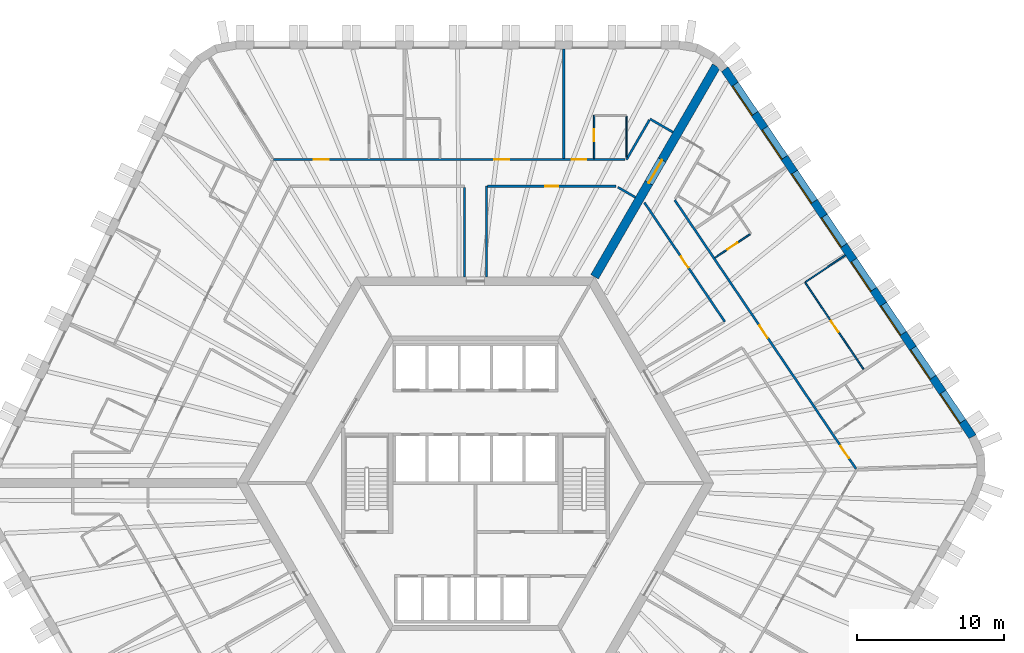
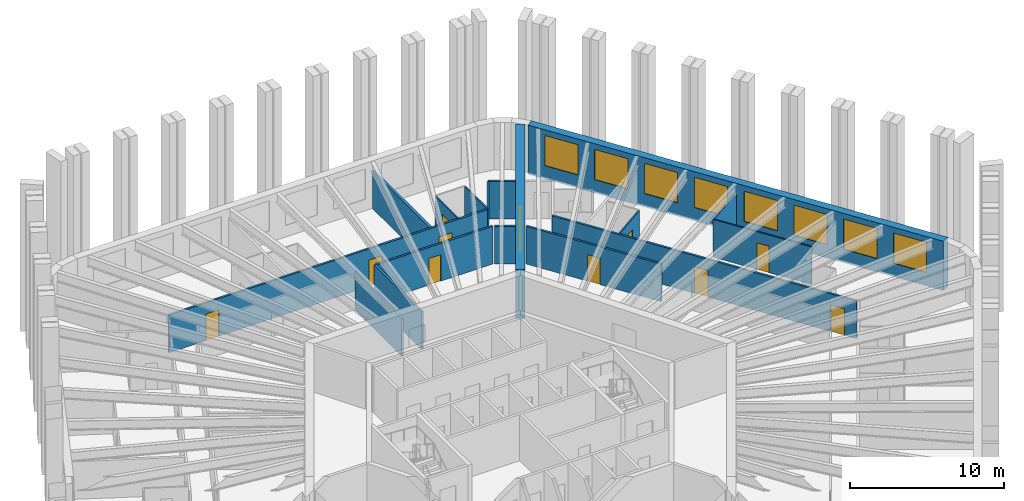
# One storey, part 9 of 12: 17 walls, 11 doors, 8 windows, 19 openings.
"""IFC4 building model written with IfcOpenShell, lengths in metres."""

from ifc_helpers import new_model, si_unit, direction, frame, frame_2d, origin, place, context, subcontext, project, spatial, polyline, rectangle, outline, extrude, material, layer, layer_set, type_object, element, fill, save


model = new_model("IFC4")

# Units and contexts
model_context = context("Model", 3, precision=1e-05, world=origin(), true_north=direction((0.0, 1.0)))
body_context = subcontext(model_context, "Body", "Model", "MODEL_VIEW")
ifc_project = project(units=[si_unit("LENGTHUNIT", "METRE"), si_unit("AREAUNIT", "SQUARE_METRE"), si_unit("VOLUMEUNIT", "CUBIC_METRE"), si_unit("PLANEANGLEUNIT", "RADIAN"), si_unit("MASSUNIT", "GRAM", prefix="KILO")], contexts=[model_context])

# Site, building, storey
site_placement = place(None, origin())
site = spatial("IfcSite", under=ifc_project, at=site_placement, CompositionType="ELEMENT")
building_placement = place(site_placement, origin())
building = spatial("IfcBuilding", under=site, at=building_placement, Name="Tarnside Tower", CompositionType="ELEMENT")
storey_placement = place(building_placement, frame((0.0, 0.0, 37.5)))
storey = spatial("IfcBuildingStorey", under=building, at=storey_placement, Name="L06", CompositionType="ELEMENT", Elevation=37.5)

# Wall, opening, door
ifc_material_1 = material(Name="Gypsum board partition on steel studs", Category="steel")
ifc_layer_1 = layer(ifc_material_1, 0.10009765625)
ifc_layer_set_1 = layer_set([ifc_layer_1], Name="Bathroom wall 100")
wall_type_1 = type_object("IfcWallType", Name="Bathroom wall 100", PredefinedType="PARTITIONING", material=ifc_layer_set_1)
wall_1_placement = place(storey_placement, frame((8.0478515625, 22.02490234375, 0.0), z_axis=(0.0, 0.0, 1.0), x_axis=(0.0, 1.0, 0.0)))
wall_1 = element("IfcWall", 1, at=wall_1_placement, inside=storey, type_object=wall_type_1, Name="Bathroom wall 01077", PredefinedType="PARTITIONING", context=body_context, shape_type="SweptSolid", body=[
    extrude(rectangle(XDim=2.925048828125, YDim=0.10009765625, at=frame_2d((1.46240234375, 0.0))), origin(), (0.0, 0.0, 1.0), 2.98779296875),
])
opening_1_placement = place(wall_1_placement, frame((1.175048828125, 0.0, 0.0)))
opening_1 = element("IfcOpeningElement", 2, at=opening_1_placement, cuts=wall_1, Name="Opening D-B1", PredefinedType="OPENING", context=body_context, shape_type="SweptSolid", body=[
    extrude(rectangle(XDim=0.800048828125, YDim=2.10009765625, at=frame_2d((0.39990234375, 1.050048828125))), frame((0.0, 0.06005859375, 0.0), z_axis=(0.0, -1.0, 0.0), x_axis=(1.0, 0.0, 0.0)), (0.0, 0.0, 1.0), 0.1201171875),
])
ifc_material_2 = material(Name="Timber door leaf", Category="wood")
door_type_1 = type_object("IfcDoorType", Name="Bathroom door 800", OperationType="NOTDEFINED", PredefinedType="DOOR", material=ifc_material_2)
door_1_placement = place(opening_1_placement, origin())
door_1 = element("IfcDoor", 3, at=door_1_placement, inside=storey, type_object=door_type_1, Name="Bathroom door 01002", OperationType="SINGLE_SWING_LEFT", OverallHeight=2.10009765625, OverallWidth=0.800048828125, PredefinedType="DOOR", context=body_context, shape_type="SweptSolid", body=[
    extrude(rectangle(XDim=0.800048828125, YDim=2.10009765625, at=frame_2d((0.39990234375, 1.050048828125))), frame((0.0, 0.02490234375, 0.0), z_axis=(0.0, -1.0, 0.0), x_axis=(1.0, 0.0, 0.0)), (0.0, 0.0, 1.0), 0.050048828125),
])
fill(opening_1, door_1)

# Wall
wall_2_placement = place(storey_placement, frame((10.248046875, 24.89990234375, 0.0), z_axis=(0.0, 0.0, 1.0), x_axis=(0.0, -1.0, 0.0)))
element("IfcWall", 4, at=wall_2_placement, inside=storey, type_object=wall_type_1, Name="Bathroom wall 01079", PredefinedType="PARTITIONING", context=body_context, shape_type="SweptSolid", body=[
    extrude(rectangle(XDim=2.7998046875, YDim=0.10009765625, at=frame_2d((1.39990234375, 0.0))), origin(), (0.0, 0.0, 1.0), 2.98779296875),
])

# Wall, opening, door
wall_3_placement = place(storey_placement, frame((18.63623046875, 16.899169921875, 0.0), z_axis=(0.0, 0.0, 1.0), x_axis=(-0.82904649496, -0.559179675234, 0.0)))
wall_3 = element("IfcWall", 5, at=wall_3_placement, inside=storey, type_object=wall_type_1, Name="Bathroom wall 01148", PredefinedType="PARTITIONING", context=body_context, shape_type="SweptSolid", body=[
    extrude(rectangle(XDim=2.875, YDim=0.10009765625, at=frame_2d((1.4375, 0.0))), origin(), (0.0, 0.0, 1.0), 2.98779296875),
])
opening_2_placement = place(wall_3_placement, frame((1.050048828125, 0.0, 0.0)))
opening_2 = element("IfcOpeningElement", 6, at=opening_2_placement, cuts=wall_3, Name="Opening D-B1", PredefinedType="OPENING", context=body_context, shape_type="SweptSolid", body=[
    extrude(rectangle(XDim=0.800048828125, YDim=2.10009765625, at=frame_2d((0.39990234375, 1.050048828125))), frame((0.0, 0.06005859375, 0.0), z_axis=(0.0, -1.0, 0.0), x_axis=(1.0, 0.0, 0.0)), (0.0, 0.0, 1.0), 0.1201171875),
])
door_2_placement = place(opening_2_placement, origin())
door_2 = element("IfcDoor", 7, at=door_2_placement, inside=storey, type_object=door_type_1, Name="Bathroom door 01038", OperationType="SINGLE_SWING_LEFT", OverallHeight=2.10009765625, OverallWidth=0.800048828125, PredefinedType="DOOR", context=body_context, shape_type="SweptSolid", body=[
    extrude(rectangle(XDim=0.800048828125, YDim=2.10009765625, at=frame_2d((0.39990234375, 1.050048828125))), frame((0.0, 0.02490234375, 0.0), z_axis=(0.0, -1.0, 0.0), x_axis=(1.0, 0.0, 0.0)), (0.0, 0.0, 1.0), 0.050048828125),
])
fill(opening_2, door_2)

ifc_material_3 = material(Name="Concrete C80/95", Category="concrete")
ifc_layer_2 = layer(ifc_material_3, 0.60009765625)
ifc_layer_set_2 = layer_set([ifc_layer_2], Name="Core wall Z1 600 C80/95")
wall_type_2 = type_object("IfcWallType", Name="Core wall Z1 600 C80/95", PredefinedType="SHEAR", material=ifc_layer_set_2)
wall_4_placement = place(storey_placement, frame((8.0830078125, 14.0, -0.14990234375), z_axis=(0.0, 0.0, 1.0), x_axis=(0.499997680643, 0.866026742862, 0.0)))
wall_4 = element("IfcWall", 8, at=wall_4_placement, inside=storey, type_object=wall_type_2, Name="L06 spine wall 1", PredefinedType="SHEAR", context=body_context, shape_type="SweptSolid", body=[
    extrude(rectangle(XDim=16.5087890625, YDim=0.60009765625, at=frame_2d((8.25439453125, 0.0))), origin(), (0.0, 0.0, 1.0), 3.89990234375),
])
opening_3_placement = place(wall_4_placement, frame((7.3544921875, 0.0, 0.14990234375)))
opening_3 = element("IfcOpeningElement", 9, at=opening_3_placement, cuts=wall_4, Name="Opening CD-SPN", PredefinedType="OPENING", context=body_context, shape_type="SweptSolid", body=[
    extrude(rectangle(XDim=1.800048828125, YDim=2.39990234375, at=frame_2d((0.89990234375, 1.199951171875))), frame((0.0, 0.31005859375, 0.0), z_axis=(0.0, -1.0, 0.0), x_axis=(1.0, 0.0, 0.0)), (0.0, 0.0, 1.0), 0.6201171875),
])
ifc_material_4 = material(Name="Steel fire door", Category="steel")
door_type_2 = type_object("IfcDoorType", Name="Spine passage double door FD60 1800x2400", OperationType="NOTDEFINED", PredefinedType="DOOR", material=ifc_material_4)
door_3_placement = place(opening_3_placement, origin())
door_3 = element("IfcDoor", 10, at=door_3_placement, inside=storey, type_object=door_type_2, Name="L06 spine passage door 1", OperationType="DOUBLE_DOOR_SINGLE_SWING", OverallHeight=2.39990234375, OverallWidth=1.800048828125, PredefinedType="DOOR", context=body_context, shape_type="SweptSolid", body=[
    extrude(rectangle(XDim=1.800048828125, YDim=2.39990234375, at=frame_2d((0.89990234375, 1.199951171875))), frame((0.0, 0.02490234375, 0.0), z_axis=(0.0, -1.0, 0.0), x_axis=(1.0, 0.0, 0.0)), (0.0, 0.0, 1.0), 0.050048828125),
])
fill(opening_3, door_3)

# Wall, openings, doors
ifc_layer_3 = layer(ifc_material_1, 0.14990234375)
ifc_layer_set_3 = layer_set([ifc_layer_3], Name="Corridor wall 150 EI 60")
wall_type_3 = type_object("IfcWallType", Name="Corridor wall 150 EI 60", PredefinedType="PARTITIONING", material=ifc_layer_set_3)
wall_5_placement = place(storey_placement, frame((10.161376953125, 21.949951171875, 0.0), z_axis=(0.0, 0.0, 1.0), x_axis=(-1.0, 0.0, 0.0)))
wall_5 = element("IfcWall", 11, at=wall_5_placement, inside=storey, type_object=wall_type_3, Name="Corridor wall 01001", PredefinedType="PARTITIONING", context=body_context, shape_type="SweptSolid", body=[
    extrude(rectangle(XDim=23.877197265625, YDim=0.14990234375, at=frame_2d((11.9384765625, 0.0))), origin(), (0.0, 0.0, 1.0), 2.98779296875),
])
opening_4_placement = place(wall_5_placement, frame((2.642822265625, 0.0, 0.0)))
opening_4 = element("IfcOpeningElement", 12, at=opening_4_placement, cuts=wall_5, Name="Opening D-E1", PredefinedType="OPENING", context=body_context, shape_type="SweptSolid", body=[
    extrude(rectangle(XDim=1.0, YDim=2.10009765625, at=frame_2d((0.5, 1.050048828125))), frame((0.0, 0.0849609375, 0.0), z_axis=(0.0, -1.0, 0.0), x_axis=(1.0, 0.0, 0.0)), (0.0, 0.0, 1.0), 0.169921875),
])
opening_5_placement = place(wall_5_placement, frame((7.872314453125, 0.0, 0.0)))
opening_5 = element("IfcOpeningElement", 13, at=opening_5_placement, cuts=wall_5, Name="Opening D-E1", PredefinedType="OPENING", context=body_context, shape_type="SweptSolid", body=[
    extrude(rectangle(XDim=1.0, YDim=2.10009765625, at=frame_2d((0.5, 1.050048828125))), frame((0.0, 0.0849609375, 0.0), z_axis=(0.0, -1.0, 0.0), x_axis=(1.0, 0.0, 0.0)), (0.0, 0.0, 1.0), 0.169921875),
])
opening_6_placement = place(wall_5_placement, frame((20.124755859375, 0.0, 0.0)))
opening_6 = element("IfcOpeningElement", 14, at=opening_6_placement, cuts=wall_5, Name="Opening D-E1", PredefinedType="OPENING", context=body_context, shape_type="SweptSolid", body=[
    extrude(rectangle(XDim=1.0, YDim=2.10009765625, at=frame_2d((0.5, 1.050048828125))), frame((0.0, 0.0849609375, 0.0), z_axis=(0.0, -1.0, 0.0), x_axis=(1.0, 0.0, 0.0)), (0.0, 0.0, 1.0), 0.169921875),
])
door_type_3 = type_object("IfcDoorType", Name="Unit entrance door 1000 FD30S", OperationType="NOTDEFINED", PredefinedType="DOOR", material=ifc_material_2)
door_4_placement = place(opening_4_placement, origin())
door_4 = element("IfcDoor", 15, at=door_4_placement, inside=storey, type_object=door_type_3, Name="Unit door 01001", OperationType="SINGLE_SWING_RIGHT", OverallHeight=2.10009765625, OverallWidth=1.0, PredefinedType="DOOR", context=body_context, shape_type="SweptSolid", body=[
    extrude(rectangle(XDim=1.0, YDim=2.10009765625, at=frame_2d((0.5, 1.050048828125))), frame((0.0, 0.02490234375, 0.0), z_axis=(0.0, -1.0, 0.0), x_axis=(1.0, 0.0, 0.0)), (0.0, 0.0, 1.0), 0.050048828125),
])
fill(opening_4, door_4)
door_5_placement = place(opening_5_placement, origin())
door_5 = element("IfcDoor", 16, at=door_5_placement, inside=storey, type_object=door_type_3, Name="Unit door 01003", OperationType="SINGLE_SWING_LEFT", OverallHeight=2.10009765625, OverallWidth=1.0, PredefinedType="DOOR", context=body_context, shape_type="SweptSolid", body=[
    extrude(rectangle(XDim=1.0, YDim=2.10009765625, at=frame_2d((0.5, 1.050048828125))), frame((0.0, 0.02490234375, 0.0), z_axis=(0.0, -1.0, 0.0), x_axis=(1.0, 0.0, 0.0)), (0.0, 0.0, 1.0), 0.050048828125),
])
fill(opening_5, door_5)
door_6_placement = place(opening_6_placement, origin())
door_6 = element("IfcDoor", 17, at=door_6_placement, inside=storey, type_object=door_type_3, Name="Unit door 01005", OperationType="SINGLE_SWING_RIGHT", OverallHeight=2.10009765625, OverallWidth=1.0, PredefinedType="DOOR", context=body_context, shape_type="SweptSolid", body=[
    extrude(rectangle(XDim=1.0, YDim=2.10009765625, at=frame_2d((0.5, 1.050048828125))), frame((0.0, 0.02490234375, 0.0), z_axis=(0.0, -1.0, 0.0), x_axis=(1.0, 0.0, 0.0)), (0.0, 0.0, 1.0), 0.050048828125),
])
fill(opening_6, door_6)

# Walls
wall_6_placement = place(storey_placement, frame((13.400390625, 23.81005859375, 0.0), z_axis=(0.0, 0.0, 1.0), x_axis=(-0.865989075817, 0.500062916607, 0.0)))
element("IfcWall", 18, at=wall_6_placement, inside=storey, type_object=wall_type_3, Name="Corridor wall 01002", PredefinedType="PARTITIONING", context=body_context, shape_type="SweptSolid", body=[
    extrude(rectangle(XDim=1.800048828125, YDim=0.14990234375, at=frame_2d((0.89990234375, 0.0))), origin(), (0.0, 0.0, 1.0), 2.98779296875),
])
wall_7_placement = place(storey_placement, frame((11.803955078125, 24.64501953125, 0.0), z_axis=(0.0, 0.0, 1.0), x_axis=(-0.499978251519, -0.866037959912, 0.0)))
element("IfcWall", 19, at=wall_7_placement, inside=storey, type_object=wall_type_3, Name="Corridor wall 01003", PredefinedType="PARTITIONING", context=body_context, shape_type="SweptSolid", body=[
    extrude(rectangle(XDim=3.112060546875, YDim=0.14990234375, at=frame_2d((1.55615234375, 0.0))), origin(), (0.0, 0.0, 1.0), 2.98779296875),
])
wall_8_placement = place(storey_placement, frame((-0.75, 20.074951171875, 0.0), z_axis=(0.0, 0.0, 1.0), x_axis=(0.0, -1.0, 0.0)))
element("IfcWall", 20, at=wall_8_placement, inside=storey, type_object=wall_type_3, Name="Corridor wall 01019", PredefinedType="PARTITIONING", context=body_context, shape_type="SweptSolid", body=[
    extrude(rectangle(XDim=6.074951171875, YDim=0.14990234375, at=frame_2d((3.03759765625, 0.0))), origin(), (0.0, 0.0, 1.0), 2.98779296875),
])
wall_9_placement = place(storey_placement, frame((0.75, 14.0, 0.0), z_axis=(0.0, 0.0, 1.0), x_axis=(0.0, 1.0, 0.0)))
element("IfcWall", 21, at=wall_9_placement, inside=storey, type_object=wall_type_3, Name="Corridor wall 01020", PredefinedType="PARTITIONING", context=body_context, shape_type="SweptSolid", body=[
    extrude(rectangle(XDim=6.14990234375, YDim=0.14990234375, at=frame_2d((3.074951171875, 0.0))), origin(), (0.0, 0.0, 1.0), 2.98779296875),
])

# Wall, opening, door
wall_10_placement = place(storey_placement, frame((0.824951171875, 20.14990234375, 0.0), z_axis=(0.0, 0.0, 1.0), x_axis=(1.0, 0.0, 0.0)))
wall_10 = element("IfcWall", 22, at=wall_10_placement, inside=storey, type_object=wall_type_3, Name="Corridor wall 01021", PredefinedType="PARTITIONING", context=body_context, shape_type="SweptSolid", body=[
    extrude(rectangle(XDim=8.712158203125, YDim=0.14990234375, at=frame_2d((4.35595703125, 0.0))), origin(), (0.0, 0.0, 1.0), 2.98779296875),
])
opening_7_placement = place(wall_10_placement, frame((3.906005859375, 0.0, 0.0)))
opening_7 = element("IfcOpeningElement", 23, at=opening_7_placement, cuts=wall_10, Name="Opening D-S1", PredefinedType="OPENING", context=body_context, shape_type="SweptSolid", body=[
    extrude(rectangle(XDim=0.89990234375, YDim=2.10009765625, at=frame_2d((0.449951171875, 1.050048828125))), frame((0.0, 0.0849609375, 0.0), z_axis=(0.0, -1.0, 0.0), x_axis=(1.0, 0.0, 0.0)), (0.0, 0.0, 1.0), 0.169921875),
])
door_type_4 = type_object("IfcDoorType", Name="Service room door 900 FD30S", OperationType="NOTDEFINED", PredefinedType="DOOR", material=ifc_material_2)
door_7_placement = place(opening_7_placement, origin())
door_7 = element("IfcDoor", 24, at=door_7_placement, inside=storey, type_object=door_type_4, Name="Service door 01043", OperationType="SINGLE_SWING_RIGHT", OverallHeight=2.10009765625, OverallWidth=0.89990234375, PredefinedType="DOOR", context=body_context, shape_type="SweptSolid", body=[
    extrude(rectangle(XDim=0.89990234375, YDim=2.10009765625, at=frame_2d((0.449951171875, 1.050048828125))), frame((0.0, 0.02490234375, 0.0), z_axis=(0.0, -1.0, 0.0), x_axis=(1.0, 0.0, 0.0)), (0.0, 0.0, 1.0), 0.050048828125),
])
fill(opening_7, door_7)

# Wall
wall_11_placement = place(storey_placement, frame((9.6669921875, 20.074951171875, 0.0), z_axis=(0.0, 0.0, 1.0), x_axis=(0.866000994684, -0.500042275419, 0.0)))
element("IfcWall", 25, at=wall_11_placement, inside=storey, type_object=wall_type_3, Name="Corridor wall 01022", PredefinedType="PARTITIONING", context=body_context, shape_type="SweptSolid", body=[
    extrude(rectangle(XDim=1.36572265625, YDim=0.14990234375, at=frame_2d((0.682861328125, 0.0))), origin(), (0.0, 0.0, 1.0), 2.98779296875),
])

# Wall, openings, doors
wall_12_placement = place(storey_placement, frame((25.820556640625, 0.972412109375, 0.0), z_axis=(0.0, 0.0, 1.0), x_axis=(-0.559193816298, 0.829036956845, 0.0)))
wall_12 = element("IfcWall", 26, at=wall_12_placement, inside=storey, type_object=wall_type_3, Name="Corridor wall 01059", PredefinedType="PARTITIONING", context=body_context, shape_type="SweptSolid", body=[
    extrude(rectangle(XDim=22.001708984375, YDim=0.14990234375, at=frame_2d((11.0009765625, 0.0))), origin(), (0.0, 0.0, 1.0), 2.98779296875),
])
opening_8_placement = place(wall_12_placement, frame((0.868896484375, 0.0, 0.0)))
opening_8 = element("IfcOpeningElement", 27, at=opening_8_placement, cuts=wall_12, Name="Opening D-E1", PredefinedType="OPENING", context=body_context, shape_type="SweptSolid", body=[
    extrude(rectangle(XDim=1.0, YDim=2.10009765625, at=frame_2d((0.5, 1.050048828125))), frame((0.0, 0.0849609375, 0.0), z_axis=(0.0, -1.0, 0.0), x_axis=(1.0, 0.0, 0.0)), (0.0, 0.0, 1.0), 0.169921875),
])
opening_9_placement = place(wall_12_placement, frame((10.721435546875, 0.0, 0.0)))
opening_9 = element("IfcOpeningElement", 28, at=opening_9_placement, cuts=wall_12, Name="Opening D-E1", PredefinedType="OPENING", context=body_context, shape_type="SweptSolid", body=[
    extrude(rectangle(XDim=1.0, YDim=2.10009765625, at=frame_2d((0.5, 1.050048828125))), frame((0.0, 0.0849609375, 0.0), z_axis=(0.0, -1.0, 0.0), x_axis=(1.0, 0.0, 0.0)), (0.0, 0.0, 1.0), 0.169921875),
])
door_8_placement = place(opening_8_placement, origin())
door_8 = element("IfcDoor", 29, at=door_8_placement, inside=storey, type_object=door_type_3, Name="Unit door 01035", OperationType="SINGLE_SWING_RIGHT", OverallHeight=2.10009765625, OverallWidth=1.0, PredefinedType="DOOR", context=body_context, shape_type="SweptSolid", body=[
    extrude(rectangle(XDim=1.0, YDim=2.10009765625, at=frame_2d((0.5, 1.050048828125))), frame((0.0, 0.02490234375, 0.0), z_axis=(0.0, -1.0, 0.0), x_axis=(1.0, 0.0, 0.0)), (0.0, 0.0, 1.0), 0.050048828125),
])
fill(opening_8, door_8)
door_9_placement = place(opening_9_placement, origin())
door_9 = element("IfcDoor", 30, at=door_9_placement, inside=storey, type_object=door_type_3, Name="Unit door 01037", OperationType="SINGLE_SWING_RIGHT", OverallHeight=2.10009765625, OverallWidth=1.0, PredefinedType="DOOR", context=body_context, shape_type="SweptSolid", body=[
    extrude(rectangle(XDim=1.0, YDim=2.10009765625, at=frame_2d((0.5, 1.050048828125))), frame((0.0, 0.02490234375, 0.0), z_axis=(0.0, -1.0, 0.0), x_axis=(1.0, 0.0, 0.0)), (0.0, 0.0, 1.0), 0.050048828125),
])
fill(opening_9, door_9)

# Wall, opening, door
wall_13_placement = place(storey_placement, frame((11.464599609375, 19.037109375, 0.0), z_axis=(0.0, 0.0, 1.0), x_axis=(0.559196064773, -0.829035440221, 0.0)))
wall_13 = element("IfcWall", 31, at=wall_13_placement, inside=storey, type_object=wall_type_3, Name="Corridor wall 01075", PredefinedType="PARTITIONING", context=body_context, shape_type="SweptSolid", body=[
    extrude(rectangle(XDim=9.757080078125, YDim=0.14990234375, at=frame_2d((4.87841796875, 0.0))), origin(), (0.0, 0.0, 1.0), 2.98779296875),
])
opening_10_placement = place(wall_13_placement, frame((4.428466796875, 0.0, 0.0)))
opening_10 = element("IfcOpeningElement", 32, at=opening_10_placement, cuts=wall_13, Name="Opening D-S1", PredefinedType="OPENING", context=body_context, shape_type="SweptSolid", body=[
    extrude(rectangle(XDim=0.89990234375, YDim=2.10009765625, at=frame_2d((0.449951171875, 1.050048828125))), frame((0.0, 0.0849609375, 0.0), z_axis=(0.0, -1.0, 0.0), x_axis=(1.0, 0.0, 0.0)), (0.0, 0.0, 1.0), 0.169921875),
])
door_10_placement = place(opening_10_placement, origin())
door_10 = element("IfcDoor", 33, at=door_10_placement, inside=storey, type_object=door_type_4, Name="Service door 01050", OperationType="SINGLE_SWING_RIGHT", OverallHeight=2.10009765625, OverallWidth=0.89990234375, PredefinedType="DOOR", context=body_context, shape_type="SweptSolid", body=[
    extrude(rectangle(XDim=0.89990234375, YDim=2.10009765625, at=frame_2d((0.449951171875, 1.050048828125))), frame((0.0, 0.02490234375, 0.0), z_axis=(0.0, -1.0, 0.0), x_axis=(1.0, 0.0, 0.0)), (0.0, 0.0, 1.0), 0.050048828125),
])
fill(opening_10, door_10)

# Wall
ifc_layer_4 = layer(ifc_material_1, 0.179931640625)
ifc_layer_set_4 = layer_set([ifc_layer_4], Name="Demising wall 180 EI 60")
wall_type_4 = type_object("IfcWallType", Name="Demising wall 180 EI 60", PredefinedType="PARTITIONING", material=ifc_layer_set_4)
wall_14_placement = place(storey_placement, frame((5.989013671875, 29.449951171875, 0.0), z_axis=(0.0, 0.0, 1.0), x_axis=(0.0, -1.0, 0.0)))
element("IfcWall", 34, at=wall_14_placement, inside=storey, type_object=wall_type_4, Name="Demising wall 01080", PredefinedType="PARTITIONING", context=body_context, shape_type="SweptSolid", body=[
    extrude(rectangle(XDim=7.425048828125, YDim=0.179931640625, at=frame_2d((3.71240234375, 0.0))), origin(), (0.0, 0.0, 1.0), 2.98779296875),
])

# Wall, opening, door
ifc_layer_5 = layer(ifc_material_1, 0.10009765625)
ifc_layer_set_5 = layer_set([ifc_layer_5], Name="Partition 100")
wall_type_5 = type_object("IfcWallType", Name="Partition 100", PredefinedType="PARTITIONING", material=ifc_layer_set_5)
wall_15_placement = place(storey_placement, frame((26.33251953125, 7.724365234375, 0.0), z_axis=(0.0, 0.0, 1.0), x_axis=(-0.559185029686, 0.829042883435, 0.0)))
wall_15 = element("IfcWall", 35, at=wall_15_placement, inside=storey, type_object=wall_type_5, Name="Partition wall 01149", PredefinedType="PARTITIONING", context=body_context, shape_type="SweptSolid", body=[
    extrude(rectangle(XDim=7.110107421875, YDim=0.10009765625, at=frame_2d((3.55517578125, 0.0))), origin(), (0.0, 0.0, 1.0), 2.98779296875),
])
opening_11_placement = place(wall_15_placement, frame((3.06005859375, 0.0, 0.0)))
opening_11 = element("IfcOpeningElement", 36, at=opening_11_placement, cuts=wall_15, Name="Opening D-I1", PredefinedType="OPENING", context=body_context, shape_type="SweptSolid", body=[
    extrude(rectangle(XDim=0.89990234375, YDim=2.10009765625, at=frame_2d((0.449951171875, 1.050048828125))), frame((0.0, 0.06005859375, 0.0), z_axis=(0.0, -1.0, 0.0), x_axis=(1.0, 0.0, 0.0)), (0.0, 0.0, 1.0), 0.1201171875),
])
door_type_5 = type_object("IfcDoorType", Name="Internal door 900", OperationType="NOTDEFINED", PredefinedType="DOOR", material=ifc_material_2)
door_11_placement = place(opening_11_placement, origin())
door_11 = element("IfcDoor", 37, at=door_11_placement, inside=storey, type_object=door_type_5, Name="Internal door 01039", OperationType="SINGLE_SWING_RIGHT", OverallHeight=2.10009765625, OverallWidth=0.89990234375, PredefinedType="DOOR", context=body_context, shape_type="SweptSolid", body=[
    extrude(rectangle(XDim=0.89990234375, YDim=2.10009765625, at=frame_2d((0.449951171875, 1.050048828125))), frame((0.0, 0.02490234375, 0.0), z_axis=(0.0, -1.0, 0.0), x_axis=(1.0, 0.0, 0.0)), (0.0, 0.0, 1.0), 0.050048828125),
])
fill(opening_11, door_11)

# Wall
wall_16_placement = place(storey_placement, frame((22.39794921875, 13.646728515625, 0.0), z_axis=(0.0, 0.0, 1.0), x_axis=(0.829033253898, 0.55919930609, 0.0)))
element("IfcWall", 38, at=wall_16_placement, inside=storey, type_object=wall_type_5, Name="Partition wall 01150", PredefinedType="PARTITIONING", context=body_context, shape_type="SweptSolid", body=[
    extrude(rectangle(XDim=3.25, YDim=0.10009765625, at=frame_2d((1.625, 0.0))), origin(), (0.0, 0.0, 1.0), 2.98779296875),
])

# Wall, openings, windows
ifc_material_5 = material(Name="Facing brick", Category="masonry")
ifc_layer_6 = layer(ifc_material_5, 0.10205078125)
ifc_material_6 = material(Name="Concrete C60/75 precast", Category="concrete")
ifc_layer_7 = layer(ifc_material_6, 0.347900390625)
ifc_material_7 = material(Name="Mineral wool insulation")
ifc_layer_8 = layer(ifc_material_7, 0.10009765625)
ifc_layer_set_6 = layer_set([ifc_layer_6, ifc_layer_7, ifc_layer_8], Name="Tube wall 550 brick faced")
wall_type_6 = type_object("IfcWallType", Name="Tube wall 550 brick faced", PredefinedType="SOLIDWALL", material=ifc_layer_set_6)
wall_17_placement = place(storey_placement, frame((33.72802734375, 3.153076171875, -0.14990234375), z_axis=(0.0, 0.0, 1.0), x_axis=(-0.559192411416, 0.82903790445, 0.0)))
wall_17 = element("IfcWall", 39, at=wall_17_placement, inside=storey, type_object=wall_type_6, Name="Tube wall L06 F6 flush 20", PredefinedType="SOLIDWALL", context=body_context, shape_type="SweptSolid", body=[
    extrude(outline(polyline([(-0.025634765625, -0.27490234375), (30.09326171875, -0.27490234375), (30.04833984375, 0.27490234375), (0.025634765625, 0.27490234375), (-0.025634765625, -0.27490234375)])), origin(), (0.0, 0.0, 1.0), 3.89990234375),
])
opening_12_placement = place(wall_17_placement, frame((1.235595703125, 0.0, 1.050048828125)))
opening_12 = element("IfcOpeningElement", 40, at=opening_12_placement, cuts=wall_17, Name="Opening WH", PredefinedType="OPENING", context=body_context, shape_type="SweptSolid", body=[
    extrude(rectangle(XDim=2.39990234375, YDim=2.39990234375, at=frame_2d((1.199951171875, 1.199951171875))), frame((0.0, 0.28515625, 0.0), z_axis=(0.0, -1.0, 0.0), x_axis=(1.0, 0.0, 0.0)), (0.0, 0.0, 1.0), 0.570068359375),
])
opening_13_placement = place(wall_17_placement, frame((4.83544921875, 0.0, 1.050048828125)))
opening_13 = element("IfcOpeningElement", 41, at=opening_13_placement, cuts=wall_17, Name="Opening WH", PredefinedType="OPENING", context=body_context, shape_type="SweptSolid", body=[
    extrude(rectangle(XDim=2.39990234375, YDim=2.39990234375, at=frame_2d((1.199951171875, 1.199951171875))), frame((0.0, 0.28515625, 0.0), z_axis=(0.0, -1.0, 0.0), x_axis=(1.0, 0.0, 0.0)), (0.0, 0.0, 1.0), 0.570068359375),
])
opening_14_placement = place(wall_17_placement, frame((8.435546875, 0.0, 1.050048828125)))
opening_14 = element("IfcOpeningElement", 42, at=opening_14_placement, cuts=wall_17, Name="Opening WH", PredefinedType="OPENING", context=body_context, shape_type="SweptSolid", body=[
    extrude(rectangle(XDim=2.39990234375, YDim=2.39990234375, at=frame_2d((1.199951171875, 1.199951171875))), frame((0.0, 0.28515625, 0.0), z_axis=(0.0, -1.0, 0.0), x_axis=(1.0, 0.0, 0.0)), (0.0, 0.0, 1.0), 0.570068359375),
])
opening_15_placement = place(wall_17_placement, frame((12.035400390625, 0.0, 1.050048828125)))
opening_15 = element("IfcOpeningElement", 43, at=opening_15_placement, cuts=wall_17, Name="Opening WH", PredefinedType="OPENING", context=body_context, shape_type="SweptSolid", body=[
    extrude(rectangle(XDim=2.39990234375, YDim=2.39990234375, at=frame_2d((1.199951171875, 1.199951171875))), frame((0.0, 0.28515625, 0.0), z_axis=(0.0, -1.0, 0.0), x_axis=(1.0, 0.0, 0.0)), (0.0, 0.0, 1.0), 0.570068359375),
])
opening_16_placement = place(wall_17_placement, frame((15.635498046875, 0.0, 1.050048828125)))
opening_16 = element("IfcOpeningElement", 44, at=opening_16_placement, cuts=wall_17, Name="Opening WH", PredefinedType="OPENING", context=body_context, shape_type="SweptSolid", body=[
    extrude(rectangle(XDim=2.39990234375, YDim=2.39990234375, at=frame_2d((1.199951171875, 1.199951171875))), frame((0.0, 0.28515625, 0.0), z_axis=(0.0, -1.0, 0.0), x_axis=(1.0, 0.0, 0.0)), (0.0, 0.0, 1.0), 0.570068359375),
])
opening_17_placement = place(wall_17_placement, frame((19.235595703125, 0.0, 1.050048828125)))
opening_17 = element("IfcOpeningElement", 45, at=opening_17_placement, cuts=wall_17, Name="Opening WH", PredefinedType="OPENING", context=body_context, shape_type="SweptSolid", body=[
    extrude(rectangle(XDim=2.39990234375, YDim=2.39990234375, at=frame_2d((1.199951171875, 1.199951171875))), frame((0.0, 0.28515625, 0.0), z_axis=(0.0, -1.0, 0.0), x_axis=(1.0, 0.0, 0.0)), (0.0, 0.0, 1.0), 0.570068359375),
])
opening_18_placement = place(wall_17_placement, frame((22.83544921875, 0.0, 1.050048828125)))
opening_18 = element("IfcOpeningElement", 46, at=opening_18_placement, cuts=wall_17, Name="Opening WH", PredefinedType="OPENING", context=body_context, shape_type="SweptSolid", body=[
    extrude(rectangle(XDim=2.39990234375, YDim=2.39990234375, at=frame_2d((1.199951171875, 1.199951171875))), frame((0.0, 0.28515625, 0.0), z_axis=(0.0, -1.0, 0.0), x_axis=(1.0, 0.0, 0.0)), (0.0, 0.0, 1.0), 0.570068359375),
])
opening_19_placement = place(wall_17_placement, frame((26.435546875, 0.0, 1.050048828125)))
opening_19 = element("IfcOpeningElement", 47, at=opening_19_placement, cuts=wall_17, Name="Opening WH", PredefinedType="OPENING", context=body_context, shape_type="SweptSolid", body=[
    extrude(rectangle(XDim=2.39990234375, YDim=2.39990234375, at=frame_2d((1.199951171875, 1.199951171875))), frame((0.0, 0.28515625, 0.0), z_axis=(0.0, -1.0, 0.0), x_axis=(1.0, 0.0, 0.0)), (0.0, 0.0, 1.0), 0.570068359375),
])
ifc_material_8 = material(Name="Aluminium-framed double glazing", Category="aluminium")
window_type = type_object("IfcWindowType", Name="Hotel window 2400 x 2400", PartitioningType="DOUBLE_PANEL_VERTICAL", PredefinedType="WINDOW", material=ifc_material_8)
window_1_placement = place(opening_12_placement, frame((0.0, 0.205078125, 0.0)))
window_1 = element("IfcWindow", 48, at=window_1_placement, inside=storey, type_object=window_type, Name="E.WN.L06.F6.00", OverallHeight=2.39990234375, OverallWidth=2.39990234375, PartitioningType="DOUBLE_PANEL_VERTICAL", PredefinedType="WINDOW", context=body_context, shape_type="SweptSolid", body=[
    extrude(rectangle(XDim=2.39990234375, YDim=2.39990234375, at=frame_2d((1.199951171875, 1.199951171875))), frame((0.0, 0.030029296875, 0.0), z_axis=(0.0, -1.0, 0.0), x_axis=(1.0, 0.0, 0.0)), (0.0, 0.0, 1.0), 0.06005859375),
])
fill(opening_12, window_1)
window_2_placement = place(opening_13_placement, frame((0.0, 0.205078125, 0.0)))
window_2 = element("IfcWindow", 49, at=window_2_placement, inside=storey, type_object=window_type, Name="E.WN.L06.F6.01", OverallHeight=2.39990234375, OverallWidth=2.39990234375, PartitioningType="DOUBLE_PANEL_VERTICAL", PredefinedType="WINDOW", context=body_context, shape_type="SweptSolid", body=[
    extrude(rectangle(XDim=2.39990234375, YDim=2.39990234375, at=frame_2d((1.199951171875, 1.199951171875))), frame((0.0, 0.030029296875, 0.0), z_axis=(0.0, -1.0, 0.0), x_axis=(1.0, 0.0, 0.0)), (0.0, 0.0, 1.0), 0.06005859375),
])
fill(opening_13, window_2)
window_3_placement = place(opening_14_placement, frame((0.0, 0.205078125, 0.0)))
window_3 = element("IfcWindow", 50, at=window_3_placement, inside=storey, type_object=window_type, Name="E.WN.L06.F6.02", OverallHeight=2.39990234375, OverallWidth=2.39990234375, PartitioningType="DOUBLE_PANEL_VERTICAL", PredefinedType="WINDOW", context=body_context, shape_type="SweptSolid", body=[
    extrude(rectangle(XDim=2.39990234375, YDim=2.39990234375, at=frame_2d((1.199951171875, 1.199951171875))), frame((0.0, 0.030029296875, 0.0), z_axis=(0.0, -1.0, 0.0), x_axis=(1.0, 0.0, 0.0)), (0.0, 0.0, 1.0), 0.06005859375),
])
fill(opening_14, window_3)
window_4_placement = place(opening_15_placement, frame((0.0, 0.205078125, 0.0)))
window_4 = element("IfcWindow", 51, at=window_4_placement, inside=storey, type_object=window_type, Name="E.WN.L06.F6.03", OverallHeight=2.39990234375, OverallWidth=2.39990234375, PartitioningType="DOUBLE_PANEL_VERTICAL", PredefinedType="WINDOW", context=body_context, shape_type="SweptSolid", body=[
    extrude(rectangle(XDim=2.39990234375, YDim=2.39990234375, at=frame_2d((1.199951171875, 1.199951171875))), frame((0.0, 0.030029296875, 0.0), z_axis=(0.0, -1.0, 0.0), x_axis=(1.0, 0.0, 0.0)), (0.0, 0.0, 1.0), 0.06005859375),
])
fill(opening_15, window_4)
window_5_placement = place(opening_16_placement, frame((0.0, 0.205078125, 0.0)))
window_5 = element("IfcWindow", 52, at=window_5_placement, inside=storey, type_object=window_type, Name="E.WN.L06.F6.04", OverallHeight=2.39990234375, OverallWidth=2.39990234375, PartitioningType="DOUBLE_PANEL_VERTICAL", PredefinedType="WINDOW", context=body_context, shape_type="SweptSolid", body=[
    extrude(rectangle(XDim=2.39990234375, YDim=2.39990234375, at=frame_2d((1.199951171875, 1.199951171875))), frame((0.0, 0.030029296875, 0.0), z_axis=(0.0, -1.0, 0.0), x_axis=(1.0, 0.0, 0.0)), (0.0, 0.0, 1.0), 0.06005859375),
])
fill(opening_16, window_5)
window_6_placement = place(opening_17_placement, frame((0.0, 0.205078125, 0.0)))
window_6 = element("IfcWindow", 53, at=window_6_placement, inside=storey, type_object=window_type, Name="E.WN.L06.F6.05", OverallHeight=2.39990234375, OverallWidth=2.39990234375, PartitioningType="DOUBLE_PANEL_VERTICAL", PredefinedType="WINDOW", context=body_context, shape_type="SweptSolid", body=[
    extrude(rectangle(XDim=2.39990234375, YDim=2.39990234375, at=frame_2d((1.199951171875, 1.199951171875))), frame((0.0, 0.030029296875, 0.0), z_axis=(0.0, -1.0, 0.0), x_axis=(1.0, 0.0, 0.0)), (0.0, 0.0, 1.0), 0.06005859375),
])
fill(opening_17, window_6)
window_7_placement = place(opening_18_placement, frame((0.0, 0.205078125, 0.0)))
window_7 = element("IfcWindow", 54, at=window_7_placement, inside=storey, type_object=window_type, Name="E.WN.L06.F6.06", OverallHeight=2.39990234375, OverallWidth=2.39990234375, PartitioningType="DOUBLE_PANEL_VERTICAL", PredefinedType="WINDOW", context=body_context, shape_type="SweptSolid", body=[
    extrude(rectangle(XDim=2.39990234375, YDim=2.39990234375, at=frame_2d((1.199951171875, 1.199951171875))), frame((0.0, 0.030029296875, 0.0), z_axis=(0.0, -1.0, 0.0), x_axis=(1.0, 0.0, 0.0)), (0.0, 0.0, 1.0), 0.06005859375),
])
fill(opening_18, window_7)
window_8_placement = place(opening_19_placement, frame((0.0, 0.205078125, 0.0)))
window_8 = element("IfcWindow", 55, at=window_8_placement, inside=storey, type_object=window_type, Name="E.WN.L06.F6.07", OverallHeight=2.39990234375, OverallWidth=2.39990234375, PartitioningType="DOUBLE_PANEL_VERTICAL", PredefinedType="WINDOW", context=body_context, shape_type="SweptSolid", body=[
    extrude(rectangle(XDim=2.39990234375, YDim=2.39990234375, at=frame_2d((1.199951171875, 1.199951171875))), frame((0.0, 0.030029296875, 0.0), z_axis=(0.0, -1.0, 0.0), x_axis=(1.0, 0.0, 0.0)), (0.0, 0.0, 1.0), 0.06005859375),
])
fill(opening_19, window_8)

save(model, "model.ifc")
